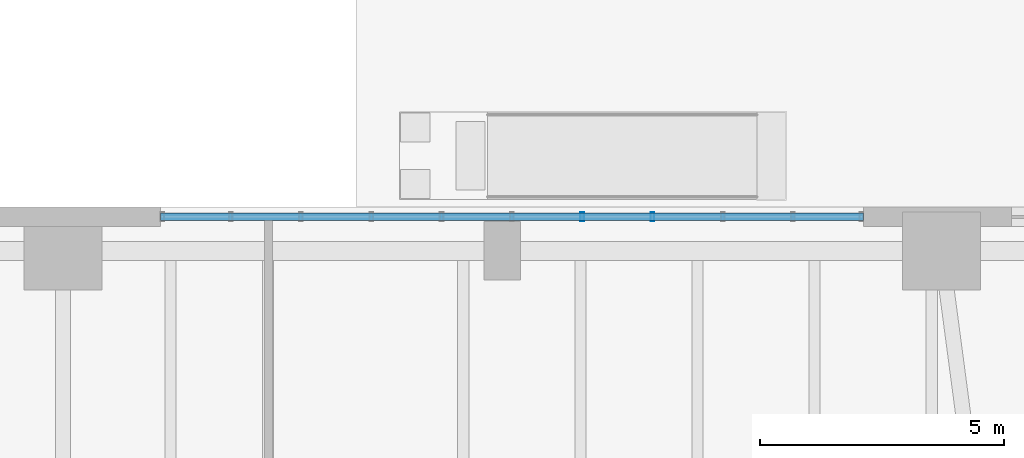
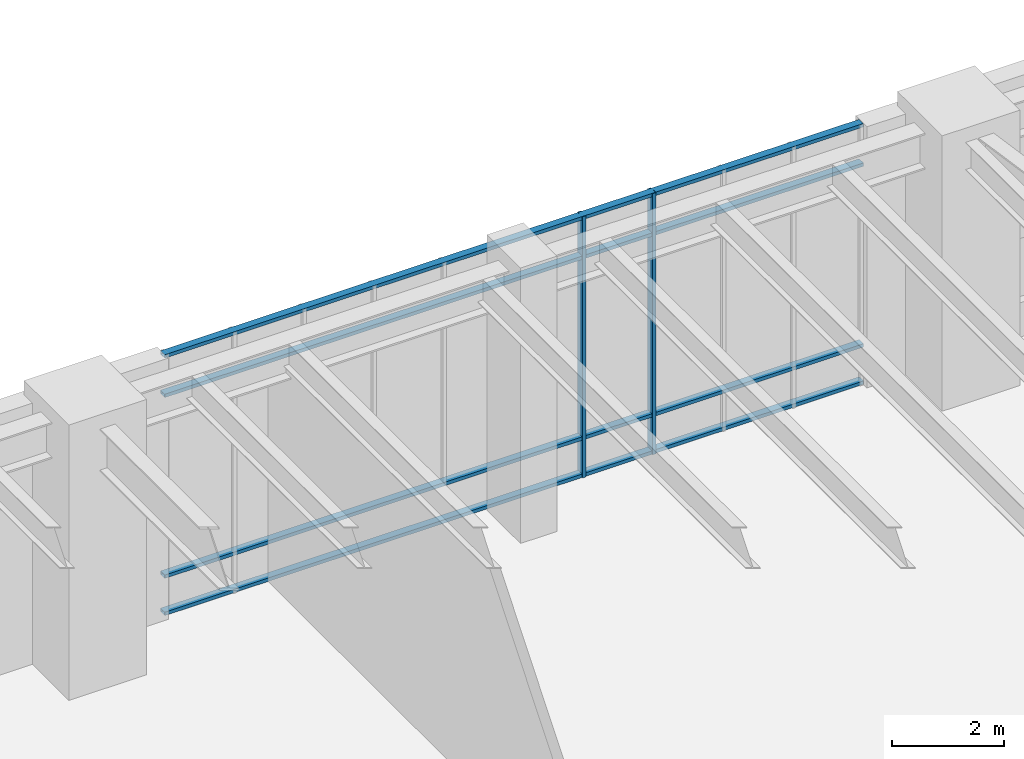
# One storey, part 14 of 28: 6 members, 1 element without a shape of its own.
"""IFC4 building model written with IfcOpenShell, lengths in metres."""

from ifc_helpers import new_model, si_unit, direction, frame, origin, origin_2d, place, context, subcontext, project, spatial, hollow_rectangle, extrude, material, layer, layer_set, material_profile, profile_set, type_object, element, aggregate, save


model = new_model("IFC4")

# Units and contexts
model_context = context("Model", 3, precision=1e-05, world=origin(), true_north=direction((0.0, 1.0)))
body_context = subcontext(model_context, "Body", "Model", "MODEL_VIEW")
ifc_project = project(units=[si_unit("LENGTHUNIT", "METRE"), si_unit("AREAUNIT", "SQUARE_METRE"), si_unit("VOLUMEUNIT", "CUBIC_METRE"), si_unit("PLANEANGLEUNIT", "RADIAN"), si_unit("MASSUNIT", "GRAM", prefix="KILO"), si_unit("THERMODYNAMICTEMPERATUREUNIT", "KELVIN"), si_unit("POWERUNIT", "WATT")], contexts=[model_context])

# Site, building, storey
site_placement = place(None, origin())
site = spatial("IfcSite", under=ifc_project, at=site_placement, CompositionType="ELEMENT")
building_placement = place(site_placement, origin())
building = spatial("IfcBuilding", under=site, at=building_placement, Name="Skarre Station Tower", CompositionType="ELEMENT")
storey_placement = place(building_placement, origin())
storey = spatial("IfcBuildingStorey", under=building, at=storey_placement, Name="L01", CompositionType="ELEMENT", Elevation=0.0)

# Curtain wall, members
ifc_material_1 = material(Name="Thermally Broken Bronze-Anodized Aluminium & Triple Low-E Glass", Category="aluminium")
ifc_layer = layer(ifc_material_1, 0.239990234375, Name="Thermally Broken Bronze-Anodized Aluminium & Triple Low-E Glass")
ifc_layer_set = layer_set([ifc_layer], Name="Thermally Broken Bronze-Anodized Aluminium & Triple Low-E Glass")
curtain_wall_type = type_object("IfcCurtainWallType", Name="Station Concourse Monumental Unitised Curtain Wall", PredefinedType="NOTDEFINED", material=ifc_layer_set)
curtain_wall_placement = place(storey_placement, origin())
curtain_wall = element("IfcCurtainWall", 1, at=curtain_wall_placement, inside=storey, type_object=curtain_wall_type, Name="L01 North Drop-Off Portal Curtain Wall", PredefinedType="NOTDEFINED")
ifc_material_2 = material(Name="Anodized Aluminium 6063-T6", Category="aluminium")
ifc_material_profile_1 = material_profile(ifc_material_2, hollow_rectangle(XDim=0.074951171875, YDim=0.179931640625, WallThickness=0.00390625, at=origin_2d()), Name="Anodized Aluminium 6063-T6")
ifc_profile_set_1 = profile_set([ifc_material_profile_1], Name="Anodized Aluminium 6063-T6")
member_type_1 = type_object("IfcMemberType", Name="Curtain-Wall Heavy Concourse Mullion 180x75", PredefinedType="MULLION", material=ifc_profile_set_1)
member_1_placement = place(storey_placement, frame((46.639892578125, 47.800048828125, 0.0), z_axis=(0.0, 0.0, 1.0), x_axis=(1.0, 0.0, 0.0)))
member_1 = element("IfcMember", 2, at=member_1_placement, type_object=member_type_1, Name="L01 North Drop-Off Portal Curtain Wall Mullion 7", PredefinedType="MULLION", context=body_context, shape_type="SweptSolid", body=[
    extrude(hollow_rectangle(XDim=0.074951171875, YDim=0.179931640625, WallThickness=0.00390625, at=origin_2d()), origin(), (0.0, 0.0, 1.0), 5.68994140625),
])
member_2_placement = place(storey_placement, frame((48.080078125, 47.800048828125, 0.0), z_axis=(0.0, 0.0, 1.0), x_axis=(1.0, 0.0, 0.0)))
member_2 = element("IfcMember", 3, at=member_2_placement, type_object=member_type_1, Name="L01 North Drop-Off Portal Curtain Wall Mullion 8", PredefinedType="MULLION", context=body_context, shape_type="SweptSolid", body=[
    extrude(hollow_rectangle(XDim=0.074951171875, YDim=0.179931640625, WallThickness=0.00390625, at=origin_2d()), origin(), (0.0, 0.0, 1.0), 5.68994140625),
])
ifc_material_profile_2 = material_profile(ifc_material_2, hollow_rectangle(XDim=0.074951171875, YDim=0.14990234375, WallThickness=0.00390625, at=origin_2d()), Name="Anodized Aluminium 6063-T6")
ifc_profile_set_2 = profile_set([ifc_material_profile_2], Name="Anodized Aluminium 6063-T6")
member_type_2 = type_object("IfcMemberType", Name="Curtain-Wall Horizontal Transom 150x75", PredefinedType="USERDEFINED", material=ifc_profile_set_2)
member_3_placement = place(storey_placement, frame((38.0, 47.800048828125, 0.0400390625), z_axis=(1.0, 0.0, 0.0), x_axis=(0.0, 0.0, 1.0)))
member_3 = element("IfcMember", 4, at=member_3_placement, type_object=member_type_2, Name="L01 North Drop-Off Portal Curtain Wall Transom 1", ObjectType="TRANSOM", PredefinedType="USERDEFINED", context=body_context, shape_type="SweptSolid", body=[
    extrude(hollow_rectangle(XDim=0.074951171875, YDim=0.14990234375, WallThickness=0.00390625, at=origin_2d()), origin(), (0.0, 0.0, 1.0), 14.39990234375),
])
member_4_placement = place(storey_placement, frame((38.0, 47.800048828125, 0.85009765625), z_axis=(1.0, 0.0, 0.0), x_axis=(0.0, 0.0, 1.0)))
member_4 = element("IfcMember", 5, at=member_4_placement, type_object=member_type_2, Name="L01 North Drop-Off Portal Curtain Wall Transom 2", ObjectType="TRANSOM", PredefinedType="USERDEFINED", context=body_context, shape_type="SweptSolid", body=[
    extrude(hollow_rectangle(XDim=0.074951171875, YDim=0.14990234375, WallThickness=0.00390625, at=origin_2d()), origin(), (0.0, 0.0, 1.0), 14.39990234375),
])
member_5_placement = place(storey_placement, frame((38.0, 47.800048828125, 4.7900390625), z_axis=(1.0, 0.0, 0.0), x_axis=(0.0, 0.0, 1.0)))
member_5 = element("IfcMember", 6, at=member_5_placement, type_object=member_type_2, Name="L01 North Drop-Off Portal Curtain Wall Transom 3", ObjectType="TRANSOM", PredefinedType="USERDEFINED", context=body_context, shape_type="SweptSolid", body=[
    extrude(hollow_rectangle(XDim=0.074951171875, YDim=0.14990234375, WallThickness=0.00390625, at=origin_2d()), origin(), (0.0, 0.0, 1.0), 14.39990234375),
])
member_6_placement = place(storey_placement, frame((38.0, 47.800048828125, 5.64990234375), z_axis=(1.0, 0.0, 0.0), x_axis=(0.0, 0.0, 1.0)))
member_6 = element("IfcMember", 7, at=member_6_placement, type_object=member_type_2, Name="L01 North Drop-Off Portal Curtain Wall Transom 4", ObjectType="TRANSOM", PredefinedType="USERDEFINED", context=body_context, shape_type="SweptSolid", body=[
    extrude(hollow_rectangle(XDim=0.074951171875, YDim=0.14990234375, WallThickness=0.00390625, at=origin_2d()), origin(), (0.0, 0.0, 1.0), 14.39990234375),
])
aggregate(curtain_wall, [member_1, member_2, member_3, member_4, member_5, member_6])

save(model, "model.ifc")
